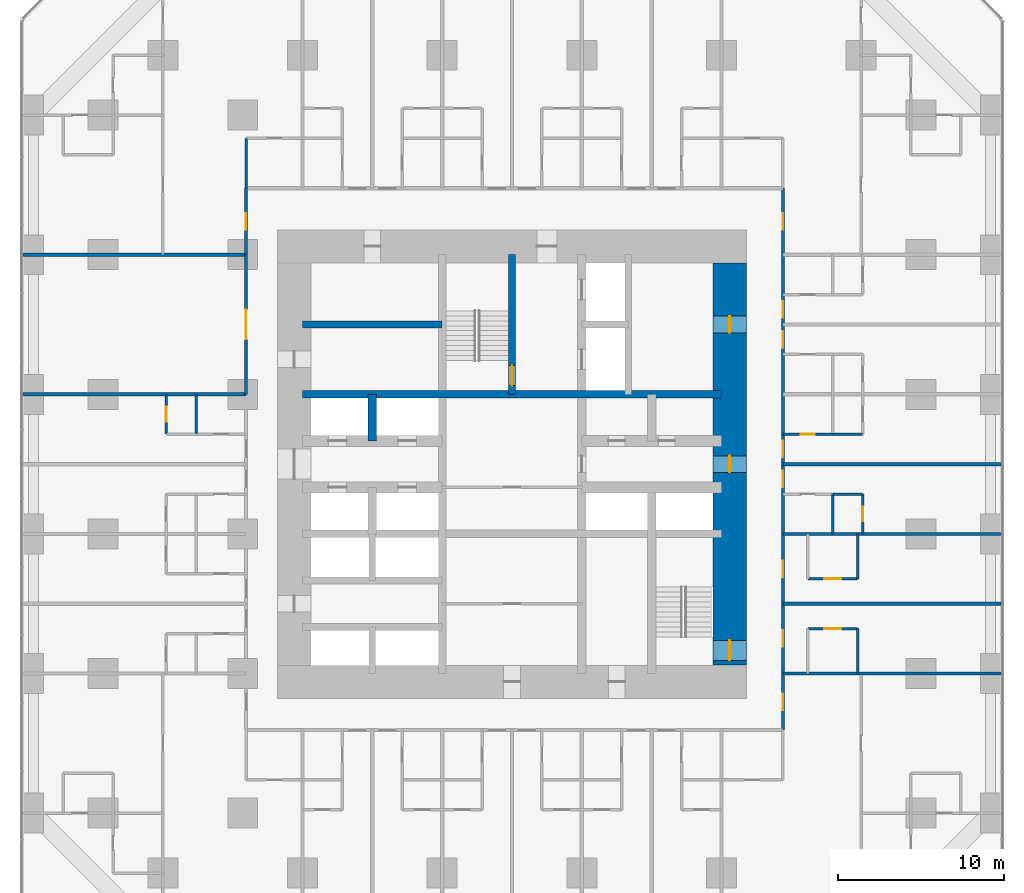
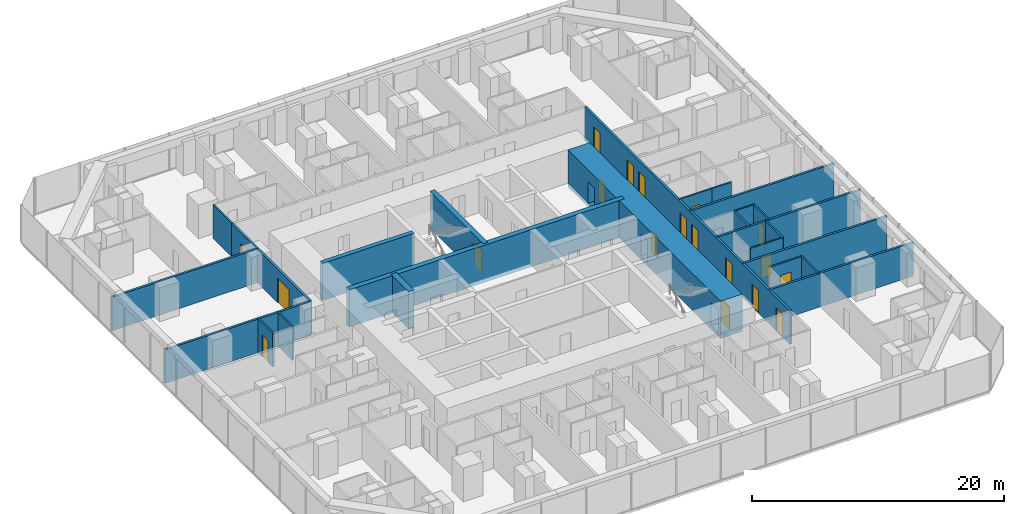
# One storey, part 14 of 18: 26 walls, 19 doors, 19 openings.
"""IFC4 building model written with IfcOpenShell, lengths in metres."""

from ifc_helpers import new_model, si_unit, direction, frame, frame_2d, origin, place, context, subcontext, project, spatial, rectangle, extrude, material, layer, layer_set, type_object, element, fill, save


model = new_model("IFC4")

# Units and contexts
model_context = context("Model", 3, precision=1e-05, world=origin(), true_north=direction((0.0, 1.0)))
body_context = subcontext(model_context, "Body", "Model", "MODEL_VIEW")
ifc_project = project(units=[si_unit("LENGTHUNIT", "METRE"), si_unit("AREAUNIT", "SQUARE_METRE"), si_unit("VOLUMEUNIT", "CUBIC_METRE"), si_unit("PLANEANGLEUNIT", "RADIAN"), si_unit("MASSUNIT", "GRAM", prefix="KILO")], contexts=[model_context])

# Site, building, storey
site_placement = place(None, origin())
site = spatial("IfcSite", under=ifc_project, at=site_placement, CompositionType="ELEMENT")
building_placement = place(site_placement, origin())
building = spatial("IfcBuilding", under=site, at=building_placement, Name="Dunama Terrace Hotel", CompositionType="ELEMENT")
storey_placement = place(building_placement, frame((0.0, 0.0, 27.0)))
storey = spatial("IfcBuildingStorey", under=building, at=storey_placement, Name="L05", CompositionType="ELEMENT", Elevation=27.0)

# Walls
ifc_material_1 = material(Name="Gypsum board partition", Category="masonry")
ifc_layer_1 = layer(ifc_material_1, 0.14990234375)
ifc_layer_set_1 = layer_set([ifc_layer_1], Name="Bathroom partition 150")
wall_type_1 = type_object("IfcWallType", Name="Bathroom partition 150", PredefinedType="PARTITIONING", material=ifc_layer_set_1)
wall_1_placement = place(storey_placement, frame((13.39990234375, 46.0, 0.0), z_axis=(0.0, 0.0, 1.0), x_axis=(0.0, 1.0, 0.0)))
element("IfcWall", 1, at=wall_1_placement, inside=storey, type_object=wall_type_1, Name="Bathroom partition 150 L05", PredefinedType="PARTITIONING", context=body_context, shape_type="SweptSolid", body=[
    extrude(rectangle(XDim=3.0, YDim=0.14990234375, at=frame_2d((1.5, 0.0))), origin(), (0.0, 0.0, 1.0), 3.25),
])
for number, where, z_axis, x_axis, name in (
    (2, (50.199951171875, 16.800048828125, 0.0), (0.0, 0.0, 1.0), (0.0, 1.0, 0.0), "Bathroom partition 150 L05"),
    (3, (50.199951171875, 22.5, 0.0), (0.0, 0.0, 1.0), (0.0, 1.0, 0.0), "Bathroom partition 150 L05"),
):
    element("IfcWall", number, at=place(storey_placement, frame(where, z_axis=z_axis, x_axis=x_axis)), inside=storey, type_object=wall_type_1, Name=name, PredefinedType="PARTITIONING", context=body_context, shape_type="SweptSolid", body=[
        extrude(rectangle(XDim=2.699951171875, YDim=0.14990234375, at=frame_2d((1.35009765625, 0.0))), origin(), (0.0, 0.0, 1.0), 3.25),
    ])

# Wall, opening, door
wall_2_placement = place(storey_placement, frame((47.199951171875, 19.5, 0.0), z_axis=(0.0, 0.0, 1.0), x_axis=(1.0, 0.0, 0.0)))
wall_2 = element("IfcWall", 4, at=wall_2_placement, inside=storey, type_object=wall_type_1, Name="Bathroom partition 150 L05", PredefinedType="PARTITIONING", context=body_context, shape_type="SweptSolid", body=[
    extrude(rectangle(XDim=3.0, YDim=0.14990234375, at=frame_2d((1.5, 0.0))), origin(), (0.0, 0.0, 1.0), 3.25),
])
opening_1_placement = place(wall_2_placement, frame((1.0, 0.0, 0.0)))
opening_1 = element("IfcOpeningElement", 5, at=opening_1_placement, cuts=wall_2, Name="Opening L05-028", PredefinedType="OPENING", context=body_context, shape_type="SweptSolid", body=[
    extrude(rectangle(XDim=1.0, YDim=2.10009765625, at=frame_2d((0.5, 1.050048828125))), frame((0.0, 0.0849609375, 0.0), z_axis=(0.0, -1.0, 0.0), x_axis=(1.0, 0.0, 0.0)), (0.0, 0.0, 1.0), 0.169921875),
])
ifc_material_2 = material(Name="Timber door with steel frame", Category="steel")
door_type_1 = type_object("IfcDoorType", Name="Accessible room door 1000", OperationType="SINGLE_SWING_LEFT", PredefinedType="DOOR", material=ifc_material_2)
door_1_placement = place(opening_1_placement, frame((1.0, 0.0, 0.0), z_axis=(0.0, 0.0, 1.0), x_axis=(-1.0, 0.0, 0.0)))
door_1 = element("IfcDoor", 6, at=door_1_placement, inside=storey, type_object=door_type_1, Name="Door to accessible en-suite bathroom L05-028, type D17", OperationType="SINGLE_SWING_RIGHT", OverallHeight=2.10009765625, OverallWidth=1.0, PredefinedType="DOOR", context=body_context, shape_type="SweptSolid", body=[
    extrude(rectangle(XDim=1.0, YDim=2.10009765625, at=frame_2d((0.5, 1.050048828125))), frame((0.0, 0.025146484375, 0.0), z_axis=(0.0, -1.0, 0.0), x_axis=(1.0, 0.0, 0.0)), (0.0, 0.0, 1.0), 0.050048828125),
])
fill(opening_1, door_1)

wall_3_placement = place(storey_placement, frame((47.199951171875, 22.5, 0.0), z_axis=(0.0, 0.0, 1.0), x_axis=(1.0, 0.0, 0.0)))
wall_3 = element("IfcWall", 7, at=wall_3_placement, inside=storey, type_object=wall_type_1, Name="Bathroom partition 150 L05", PredefinedType="PARTITIONING", context=body_context, shape_type="SweptSolid", body=[
    extrude(rectangle(XDim=3.0, YDim=0.14990234375, at=frame_2d((1.5, 0.0))), origin(), (0.0, 0.0, 1.0), 3.25),
])
opening_2_placement = place(wall_3_placement, frame((1.0, 0.0, 0.0)))
opening_2 = element("IfcOpeningElement", 8, at=opening_2_placement, cuts=wall_3, Name="Opening L05-030", PredefinedType="OPENING", context=body_context, shape_type="SweptSolid", body=[
    extrude(rectangle(XDim=1.0, YDim=2.10009765625, at=frame_2d((0.5, 1.050048828125))), frame((0.0, 0.0849609375, 0.0), z_axis=(0.0, -1.0, 0.0), x_axis=(1.0, 0.0, 0.0)), (0.0, 0.0, 1.0), 0.169921875),
])
door_2_placement = place(opening_2_placement, origin())
door_2 = element("IfcDoor", 9, at=door_2_placement, inside=storey, type_object=door_type_1, Name="Door to accessible en-suite bathroom L05-030, type D17", OperationType="SINGLE_SWING_LEFT", OverallHeight=2.10009765625, OverallWidth=1.0, PredefinedType="DOOR", context=body_context, shape_type="SweptSolid", body=[
    extrude(rectangle(XDim=1.0, YDim=2.10009765625, at=frame_2d((0.5, 1.050048828125))), frame((0.0, 0.02490234375, 0.0), z_axis=(0.0, -1.0, 0.0), x_axis=(1.0, 0.0, 0.0)), (0.0, 0.0, 1.0), 0.050048828125),
])
fill(opening_2, door_2)

wall_4_placement = place(storey_placement, frame((45.699951171875, 31.199951171875, 0.0), z_axis=(0.0, 0.0, 1.0), x_axis=(1.0, 0.0, 0.0)))
wall_4 = element("IfcWall", 10, at=wall_4_placement, inside=storey, type_object=wall_type_1, Name="Bathroom partition 150 L05", PredefinedType="PARTITIONING", context=body_context, shape_type="SweptSolid", body=[
    extrude(rectangle(XDim=3.0, YDim=0.14990234375, at=frame_2d((1.5, 0.0))), origin(), (0.0, 0.0, 1.0), 3.25),
])
opening_3_placement = place(wall_4_placement, frame((1.074951171875, 0.0, 0.0)))
opening_3 = element("IfcOpeningElement", 11, at=opening_3_placement, cuts=wall_4, Name="Opening L05-035", PredefinedType="OPENING", context=body_context, shape_type="SweptSolid", body=[
    extrude(rectangle(XDim=0.85009765625, YDim=2.10009765625, at=frame_2d((0.425048828125, 1.050048828125))), frame((0.0, 0.0849609375, 0.0), z_axis=(0.0, -1.0, 0.0), x_axis=(1.0, 0.0, 0.0)), (0.0, 0.0, 1.0), 0.169921875),
])
ifc_material_3 = material(Name="Timber door with steel frame", Category="steel")
door_type_2 = type_object("IfcDoorType", Name="Bathroom door 850", OperationType="SINGLE_SWING_LEFT", PredefinedType="DOOR", material=ifc_material_3)
door_3_placement = place(opening_3_placement, origin())
door_3 = element("IfcDoor", 12, at=door_3_placement, inside=storey, type_object=door_type_2, Name="Door to en-suite bathroom L05-035, type D2", OperationType="SINGLE_SWING_LEFT", OverallHeight=2.10009765625, OverallWidth=0.85009765625, PredefinedType="DOOR", context=body_context, shape_type="SweptSolid", body=[
    extrude(rectangle(XDim=0.85009765625, YDim=2.10009765625, at=frame_2d((0.425048828125, 1.050048828125))), frame((0.0, 0.02490234375, 0.0), z_axis=(0.0, -1.0, 0.0), x_axis=(1.0, 0.0, 0.0)), (0.0, 0.0, 1.0), 0.050048828125),
])
fill(opening_3, door_3)

# Wall
ifc_material_4 = material(Name="Concrete C50/60", Category="concrete")
ifc_layer_2 = layer(ifc_material_4, 0.39990234375)
ifc_layer_set_2 = layer_set([ifc_layer_2], Name="Core inner wall 400")
wall_type_2 = type_object("IfcWallType", Name="Core inner wall 400", PredefinedType="SHEAR", material=ifc_layer_set_2)
wall_5_placement = place(storey_placement, frame((16.800048828125, 37.800048828125, -0.35009765625), z_axis=(0.0, 0.0, 1.0), x_axis=(1.0, 0.0, 0.0)))
element("IfcWall", 13, at=wall_5_placement, inside=storey, type_object=wall_type_2, Name="Core inner wall 400 L05", PredefinedType="SHEAR", context=body_context, shape_type="SweptSolid", body=[
    extrude(rectangle(XDim=8.39990234375, YDim=0.39990234375, at=frame_2d((4.199951171875, 0.0))), origin(), (0.0, 0.0, 1.0), 3.60009765625),
])

# Wall, opening, door
ifc_material_5 = material(Name="Concrete C50/60", Category="concrete")
ifc_layer_3 = layer(ifc_material_5, 0.449951171875)
ifc_layer_set_3 = layer_set([ifc_layer_3], Name="Core inner wall 450")
wall_type_3 = type_object("IfcWallType", Name="Core inner wall 450", PredefinedType="SHEAR", material=ifc_layer_set_3)
wall_6_placement = place(storey_placement, frame((29.39990234375, 33.60009765625, -0.35009765625), z_axis=(0.0, 0.0, 1.0), x_axis=(0.0, 1.0, 0.0)))
wall_6 = element("IfcWall", 14, at=wall_6_placement, inside=storey, type_object=wall_type_3, Name="Core inner wall 450 L05", PredefinedType="SHEAR", context=body_context, shape_type="SweptSolid", body=[
    extrude(rectangle(XDim=8.39990234375, YDim=0.449951171875, at=frame_2d((4.199951171875, 0.0))), origin(), (0.0, 0.0, 1.0), 3.60009765625),
])
opening_4_placement = place(wall_6_placement, frame((0.52490234375, 0.0, 0.35009765625)))
opening_4 = element("IfcOpeningElement", 15, at=opening_4_placement, cuts=wall_6, Name="Opening L05-001", PredefinedType="OPENING", context=body_context, shape_type="SweptSolid", body=[
    extrude(rectangle(XDim=1.199951171875, YDim=2.199951171875, at=frame_2d((0.60009765625, 1.10009765625))), frame((0.0, 0.23486328125, 0.0), z_axis=(0.0, -1.0, 0.0), x_axis=(1.0, 0.0, 0.0)), (0.0, 0.0, 1.0), 0.469970703125),
])
ifc_material_6 = material(Name="Timber door with steel frame", Category="steel")
door_type_3 = type_object("IfcDoorType", Name="Stair door 1200", OperationType="SINGLE_SWING_LEFT", PredefinedType="DOOR", material=ifc_material_6)
door_4_placement = place(opening_4_placement, origin())
door_4 = element("IfcDoor", 16, at=door_4_placement, inside=storey, type_object=door_type_3, Name="Stair door ST1 L05-001, type D5", OperationType="SINGLE_SWING_LEFT", OverallHeight=2.199951171875, OverallWidth=1.199951171875, PredefinedType="DOOR", context=body_context, shape_type="SweptSolid", body=[
    extrude(rectangle(XDim=1.199951171875, YDim=2.199951171875, at=frame_2d((0.60009765625, 1.10009765625))), frame((0.0, 0.02490234375, 0.0), z_axis=(0.0, -1.0, 0.0), x_axis=(1.0, 0.0, 0.0)), (0.0, 0.0, 1.0), 0.050048828125),
])
fill(opening_4, door_4)

# Walls
wall_7_placement = place(storey_placement, frame((16.800048828125, 33.60009765625, -0.35009765625), z_axis=(0.0, 0.0, 1.0), x_axis=(1.0, 0.0, 0.0)))
element("IfcWall", 17, at=wall_7_placement, inside=storey, type_object=wall_type_3, Name="Core inner wall 450 L05", PredefinedType="SHEAR", context=body_context, shape_type="SweptSolid", body=[
    extrude(rectangle(XDim=25.199951171875, YDim=0.449951171875, at=frame_2d((12.60009765625, 0.0))), origin(), (0.0, 0.0, 1.0), 3.60009765625),
])
ifc_material_7 = material(Name="Concrete C50/60", Category="concrete")
ifc_layer_4 = layer(ifc_material_7, 0.5)
ifc_layer_set_4 = layer_set([ifc_layer_4], Name="Core inner wall 500")
wall_type_4 = type_object("IfcWallType", Name="Core inner wall 500", PredefinedType="SHEAR", material=ifc_layer_set_4)
wall_8_placement = place(storey_placement, frame((21.0, 30.800048828125, -0.35009765625), z_axis=(0.0, 0.0, 1.0), x_axis=(0.0, 1.0, 0.0)))
element("IfcWall", 18, at=wall_8_placement, inside=storey, type_object=wall_type_4, Name="Core inner wall 500 L05", PredefinedType="SHEAR", context=body_context, shape_type="SweptSolid", body=[
    extrude(rectangle(XDim=2.800048828125, YDim=0.5, at=frame_2d((1.39990234375, 0.0))), origin(), (0.0, 0.0, 1.0), 3.60009765625),
])

# Wall, openings, doors
ifc_material_8 = material(Name="Concrete C60/75", Category="concrete")
ifc_layer_5 = layer(ifc_material_8, 2.0)
ifc_layer_set_5 = layer_set([ifc_layer_5], Name="Core wall 2000")
wall_type_5 = type_object("IfcWallType", Name="Core wall 2000", PredefinedType="SHEAR", material=ifc_layer_set_5)
wall_9_placement = place(storey_placement, frame((42.5, 17.300048828125, -0.35009765625), z_axis=(0.0, 0.0, 1.0), x_axis=(0.0, 1.0, 0.0)))
wall_9 = element("IfcWall", 19, at=wall_9_placement, inside=storey, type_object=wall_type_5, Name="Core wall east L05", PredefinedType="SHEAR", context=body_context, shape_type="SweptSolid", body=[
    extrude(rectangle(XDim=24.199951171875, YDim=2.0, at=frame_2d((12.10009765625, 0.0))), origin(), (0.0, 0.0, 1.0), 3.60009765625),
])
opening_5_placement = place(wall_9_placement, frame((0.300048828125, 0.0, 0.35009765625)))
opening_5 = element("IfcOpeningElement", 20, at=opening_5_placement, cuts=wall_9, Name="Opening L05-002", PredefinedType="OPENING", context=body_context, shape_type="SweptSolid", body=[
    extrude(rectangle(XDim=1.199951171875, YDim=2.199951171875, at=frame_2d((0.60009765625, 1.10009765625))), frame((0.0, 1.010009765625, 0.0), z_axis=(0.0, -1.0, 0.0), x_axis=(1.0, 0.0, 0.0)), (0.0, 0.0, 1.0), 2.02001953125),
])
opening_6_placement = place(wall_9_placement, frame((11.60009765625, 0.0, 0.35009765625)))
opening_6 = element("IfcOpeningElement", 21, at=opening_6_placement, cuts=wall_9, Name="Opening L05-106", PredefinedType="OPENING", context=body_context, shape_type="SweptSolid", body=[
    extrude(rectangle(XDim=1.0, YDim=2.10009765625, at=frame_2d((0.5, 1.050048828125))), frame((0.0, 1.010009765625, 0.0), z_axis=(0.0, -1.0, 0.0), x_axis=(1.0, 0.0, 0.0)), (0.0, 0.0, 1.0), 2.02001953125),
])
opening_7_placement = place(wall_9_placement, frame((20.0, 0.0, 0.35009765625)))
opening_7 = element("IfcOpeningElement", 22, at=opening_7_placement, cuts=wall_9, Name="Opening L05-108", PredefinedType="OPENING", context=body_context, shape_type="SweptSolid", body=[
    extrude(rectangle(XDim=1.0, YDim=2.10009765625, at=frame_2d((0.5, 1.050048828125))), frame((0.0, 1.010009765625, 0.0), z_axis=(0.0, -1.0, 0.0), x_axis=(1.0, 0.0, 0.0)), (0.0, 0.0, 1.0), 2.02001953125),
])
ifc_material_9 = material(Name="Timber door with steel frame", Category="steel")
door_type_4 = type_object("IfcDoorType", Name="Service door 1000", OperationType="SINGLE_SWING_LEFT", PredefinedType="DOOR", material=ifc_material_9)
door_5_placement = place(opening_6_placement, origin())
door_5 = element("IfcDoor", 23, at=door_5_placement, inside=storey, type_object=door_type_4, Name="Door to service lobby L05-106, type D7", OperationType="SINGLE_SWING_LEFT", OverallHeight=2.10009765625, OverallWidth=1.0, PredefinedType="DOOR", context=body_context, shape_type="SweptSolid", body=[
    extrude(rectangle(XDim=1.0, YDim=2.10009765625, at=frame_2d((0.5, 1.050048828125))), frame((0.0, 0.02490234375, 0.0), z_axis=(0.0, -1.0, 0.0), x_axis=(1.0, 0.0, 0.0)), (0.0, 0.0, 1.0), 0.050048828125),
])
fill(opening_6, door_5)
door_6_placement = place(opening_7_placement, origin())
door_6 = element("IfcDoor", 24, at=door_6_placement, inside=storey, type_object=door_type_4, Name="Door to ice and vending room L05-108, type D7", OperationType="SINGLE_SWING_LEFT", OverallHeight=2.10009765625, OverallWidth=1.0, PredefinedType="DOOR", context=body_context, shape_type="SweptSolid", body=[
    extrude(rectangle(XDim=1.0, YDim=2.10009765625, at=frame_2d((0.5, 1.050048828125))), frame((0.0, 0.02490234375, 0.0), z_axis=(0.0, -1.0, 0.0), x_axis=(1.0, 0.0, 0.0)), (0.0, 0.0, 1.0), 0.050048828125),
])
fill(opening_7, door_6)
door_7_placement = place(opening_5_placement, origin())
door_7 = element("IfcDoor", 25, at=door_7_placement, inside=storey, type_object=door_type_3, Name="Stair door ST2 L05-002, type D5", OperationType="SINGLE_SWING_LEFT", OverallHeight=2.199951171875, OverallWidth=1.199951171875, PredefinedType="DOOR", context=body_context, shape_type="SweptSolid", body=[
    extrude(rectangle(XDim=1.199951171875, YDim=2.199951171875, at=frame_2d((0.60009765625, 1.10009765625))), frame((0.0, 0.02490234375, 0.0), z_axis=(0.0, -1.0, 0.0), x_axis=(1.0, 0.0, 0.0)), (0.0, 0.0, 1.0), 0.050048828125),
])
fill(opening_5, door_7)

# Wall, opening, door
ifc_material_10 = material(Name="Concrete blockwork", Category="masonry")
ifc_layer_6 = layer(ifc_material_10, 0.199951171875)
ifc_layer_set_6 = layer_set([ifc_layer_6], Name="Corridor partition 200")
wall_type_6 = type_object("IfcWallType", Name="Corridor partition 200", PredefinedType="PARTITIONING", material=ifc_layer_set_6)
wall_10_placement = place(storey_placement, frame((13.39990234375, 42.0, 0.0), z_axis=(0.0, 0.0, 1.0), x_axis=(0.0, 1.0, 0.0)))
wall_10 = element("IfcWall", 26, at=wall_10_placement, inside=storey, type_object=wall_type_6, Name="Corridor partition 200 L05", PredefinedType="PARTITIONING", context=body_context, shape_type="SweptSolid", body=[
    extrude(rectangle(XDim=4.0, YDim=0.199951171875, at=frame_2d((2.0, 0.0))), origin(), (0.0, 0.0, 1.0), 3.25),
])
opening_8_placement = place(wall_10_placement, frame((1.5, 0.0, 0.0)))
opening_8 = element("IfcOpeningElement", 27, at=opening_8_placement, cuts=wall_10, Name="Opening L05-092", PredefinedType="OPENING", context=body_context, shape_type="SweptSolid", body=[
    extrude(rectangle(XDim=1.0, YDim=2.199951171875, at=frame_2d((0.5, 1.10009765625))), frame((0.0, 0.10986328125, 0.0), z_axis=(0.0, -1.0, 0.0), x_axis=(1.0, 0.0, 0.0)), (0.0, 0.0, 1.0), 0.219970703125),
])
ifc_material_11 = material(Name="Timber door with steel frame", Category="steel")
door_type_5 = type_object("IfcDoorType", Name="Guest room door 1000", OperationType="SINGLE_SWING_LEFT", PredefinedType="DOOR", material=ifc_material_11)
door_8_placement = place(opening_8_placement, origin())
door_8 = element("IfcDoor", 28, at=door_8_placement, inside=storey, type_object=door_type_5, Name="Door to corner suite living room L05-092, type D1", OperationType="SINGLE_SWING_LEFT", OverallHeight=2.199951171875, OverallWidth=1.0, PredefinedType="DOOR", context=body_context, shape_type="SweptSolid", body=[
    extrude(rectangle(XDim=1.0, YDim=2.199951171875, at=frame_2d((0.5, 1.10009765625))), frame((0.0, 0.02490234375, 0.0), z_axis=(0.0, -1.0, 0.0), x_axis=(1.0, 0.0, 0.0)), (0.0, 0.0, 1.0), 0.050048828125),
])
fill(opening_8, door_8)

wall_11_placement = place(storey_placement, frame((13.39990234375, 42.0, 0.0), z_axis=(0.0, 0.0, 1.0), x_axis=(0.0, -1.0, 0.0)))
wall_11 = element("IfcWall", 29, at=wall_11_placement, inside=storey, type_object=wall_type_6, Name="Corridor partition 200 L05", PredefinedType="PARTITIONING", context=body_context, shape_type="SweptSolid", body=[
    extrude(rectangle(XDim=8.39990234375, YDim=0.199951171875, at=frame_2d((4.199951171875, 0.0))), origin(), (0.0, 0.0, 1.0), 3.25),
])
opening_9_placement = place(wall_11_placement, frame((3.300048828125, 0.0, 0.0)))
opening_9 = element("IfcOpeningElement", 30, at=opening_9_placement, cuts=wall_11, Name="Opening L05-073", PredefinedType="OPENING", context=body_context, shape_type="SweptSolid", body=[
    extrude(rectangle(XDim=1.800048828125, YDim=2.39990234375, at=frame_2d((0.89990234375, 1.199951171875))), frame((0.0, 0.10986328125, 0.0), z_axis=(0.0, -1.0, 0.0), x_axis=(1.0, 0.0, 0.0)), (0.0, 0.0, 1.0), 0.219970703125),
])
ifc_material_12 = material(Name="Aluminium-framed glazed door", Category="aluminium")
door_type_6 = type_object("IfcDoorType", Name="Glazed double door 1800", OperationType="DOUBLE_DOOR_DOUBLE_SWING", PredefinedType="DOOR", material=ifc_material_12)
door_9_placement = place(opening_9_placement, origin())
door_9 = element("IfcDoor", 31, at=door_9_placement, inside=storey, type_object=door_type_6, Name="Door to guest lounge L05-073, type D8", OperationType="DOUBLE_DOOR_DOUBLE_SWING", OverallHeight=2.39990234375, OverallWidth=1.800048828125, PredefinedType="DOOR", context=body_context, shape_type="SweptSolid", body=[
    extrude(rectangle(XDim=1.800048828125, YDim=2.39990234375, at=frame_2d((0.89990234375, 1.199951171875))), frame((0.0, 0.02490234375, 0.0), z_axis=(0.0, -1.0, 0.0), x_axis=(1.0, 0.0, 0.0)), (0.0, 0.0, 1.0), 0.050048828125),
])
fill(opening_9, door_9)

# Wall, openings, doors
wall_12_placement = place(storey_placement, frame((45.699951171875, 46.0, 0.0), z_axis=(0.0, 0.0, 1.0), x_axis=(0.0, -1.0, 0.0)))
wall_12 = element("IfcWall", 32, at=wall_12_placement, inside=storey, type_object=wall_type_6, Name="Corridor partition 200 L05", PredefinedType="PARTITIONING", context=body_context, shape_type="SweptSolid", body=[
    extrude(rectangle(XDim=32.60009765625, YDim=0.199951171875, at=frame_2d((16.300048828125, 0.0))), origin(), (0.0, 0.0, 1.0), 3.25),
])
opening_10_placement = place(wall_12_placement, frame((26.60009765625, 0.0, 0.0)))
opening_10 = element("IfcOpeningElement", 33, at=opening_10_placement, cuts=wall_12, Name="Opening L05-027", PredefinedType="OPENING", context=body_context, shape_type="SweptSolid", body=[
    extrude(rectangle(XDim=1.0, YDim=2.199951171875, at=frame_2d((0.5, 1.10009765625))), frame((0.0, 0.10986328125, 0.0), z_axis=(0.0, -1.0, 0.0), x_axis=(1.0, 0.0, 0.0)), (0.0, 0.0, 1.0), 0.219970703125),
])
opening_11_placement = place(wall_12_placement, frame((22.39990234375, 0.0, 0.0)))
opening_11 = element("IfcOpeningElement", 34, at=opening_11_placement, cuts=wall_12, Name="Opening L05-029", PredefinedType="OPENING", context=body_context, shape_type="SweptSolid", body=[
    extrude(rectangle(XDim=1.0, YDim=2.199951171875, at=frame_2d((0.5, 1.10009765625))), frame((0.0, 0.10986328125, 0.0), z_axis=(0.0, -1.0, 0.0), x_axis=(1.0, 0.0, 0.0)), (0.0, 0.0, 1.0), 0.219970703125),
])
opening_12_placement = place(wall_12_placement, frame((17.0, 0.0, 0.0)))
opening_12 = element("IfcOpeningElement", 35, at=opening_12_placement, cuts=wall_12, Name="Opening L05-031", PredefinedType="OPENING", context=body_context, shape_type="SweptSolid", body=[
    extrude(rectangle(XDim=1.0, YDim=2.199951171875, at=frame_2d((0.5, 1.10009765625))), frame((0.0, 0.10986328125, 0.0), z_axis=(0.0, -1.0, 0.0), x_axis=(1.0, 0.0, 0.0)), (0.0, 0.0, 1.0), 0.219970703125),
])
opening_13_placement = place(wall_12_placement, frame((15.199951171875, 0.0, 0.0)))
opening_13 = element("IfcOpeningElement", 36, at=opening_13_placement, cuts=wall_12, Name="Opening L05-034", PredefinedType="OPENING", context=body_context, shape_type="SweptSolid", body=[
    extrude(rectangle(XDim=1.0, YDim=2.199951171875, at=frame_2d((0.5, 1.10009765625))), frame((0.0, 0.10986328125, 0.0), z_axis=(0.0, -1.0, 0.0), x_axis=(1.0, 0.0, 0.0)), (0.0, 0.0, 1.0), 0.219970703125),
])
opening_14_placement = place(wall_12_placement, frame((8.60009765625, 0.0, 0.0)))
opening_14 = element("IfcOpeningElement", 37, at=opening_14_placement, cuts=wall_12, Name="Opening L05-037", PredefinedType="OPENING", context=body_context, shape_type="SweptSolid", body=[
    extrude(rectangle(XDim=1.0, YDim=2.199951171875, at=frame_2d((0.5, 1.10009765625))), frame((0.0, 0.10986328125, 0.0), z_axis=(0.0, -1.0, 0.0), x_axis=(1.0, 0.0, 0.0)), (0.0, 0.0, 1.0), 0.219970703125),
])
opening_15_placement = place(wall_12_placement, frame((6.800048828125, 0.0, 0.0)))
opening_15 = element("IfcOpeningElement", 38, at=opening_15_placement, cuts=wall_12, Name="Opening L05-040", PredefinedType="OPENING", context=body_context, shape_type="SweptSolid", body=[
    extrude(rectangle(XDim=1.0, YDim=2.199951171875, at=frame_2d((0.5, 1.10009765625))), frame((0.0, 0.10986328125, 0.0), z_axis=(0.0, -1.0, 0.0), x_axis=(1.0, 0.0, 0.0)), (0.0, 0.0, 1.0), 0.219970703125),
])
opening_16_placement = place(wall_12_placement, frame((30.39990234375, 0.0, 0.0)))
opening_16 = element("IfcOpeningElement", 39, at=opening_16_placement, cuts=wall_12, Name="Opening L05-080", PredefinedType="OPENING", context=body_context, shape_type="SweptSolid", body=[
    extrude(rectangle(XDim=1.0, YDim=2.199951171875, at=frame_2d((0.5, 1.10009765625))), frame((0.0, 0.10986328125, 0.0), z_axis=(0.0, -1.0, 0.0), x_axis=(1.0, 0.0, 0.0)), (0.0, 0.0, 1.0), 0.219970703125),
])
opening_17_placement = place(wall_12_placement, frame((1.5, 0.0, 0.0)))
opening_17 = element("IfcOpeningElement", 40, at=opening_17_placement, cuts=wall_12, Name="Opening L05-086", PredefinedType="OPENING", context=body_context, shape_type="SweptSolid", body=[
    extrude(rectangle(XDim=1.0, YDim=2.199951171875, at=frame_2d((0.5, 1.10009765625))), frame((0.0, 0.10986328125, 0.0), z_axis=(0.0, -1.0, 0.0), x_axis=(1.0, 0.0, 0.0)), (0.0, 0.0, 1.0), 0.219970703125),
])
door_10_placement = place(opening_10_placement, origin())
door_10 = element("IfcDoor", 41, at=door_10_placement, inside=storey, type_object=door_type_5, Name="Door to accessible deluxe room L05-027, type D1", OperationType="SINGLE_SWING_LEFT", OverallHeight=2.199951171875, OverallWidth=1.0, PredefinedType="DOOR", context=body_context, shape_type="SweptSolid", body=[
    extrude(rectangle(XDim=1.0, YDim=2.199951171875, at=frame_2d((0.5, 1.10009765625))), frame((0.0, 0.02490234375, 0.0), z_axis=(0.0, -1.0, 0.0), x_axis=(1.0, 0.0, 0.0)), (0.0, 0.0, 1.0), 0.050048828125),
])
fill(opening_10, door_10)
door_11_placement = place(opening_11_placement, origin())
door_11 = element("IfcDoor", 42, at=door_11_placement, inside=storey, type_object=door_type_5, Name="Door to accessible deluxe room L05-029, type D1", OperationType="SINGLE_SWING_LEFT", OverallHeight=2.199951171875, OverallWidth=1.0, PredefinedType="DOOR", context=body_context, shape_type="SweptSolid", body=[
    extrude(rectangle(XDim=1.0, YDim=2.199951171875, at=frame_2d((0.5, 1.10009765625))), frame((0.0, 0.02490234375, 0.0), z_axis=(0.0, -1.0, 0.0), x_axis=(1.0, 0.0, 0.0)), (0.0, 0.0, 1.0), 0.050048828125),
])
fill(opening_11, door_11)
door_12_placement = place(opening_12_placement, origin())
door_12 = element("IfcDoor", 43, at=door_12_placement, inside=storey, type_object=door_type_5, Name="Door to deluxe room L05-031, type D1", OperationType="SINGLE_SWING_LEFT", OverallHeight=2.199951171875, OverallWidth=1.0, PredefinedType="DOOR", context=body_context, shape_type="SweptSolid", body=[
    extrude(rectangle(XDim=1.0, YDim=2.199951171875, at=frame_2d((0.5, 1.10009765625))), frame((0.0, 0.02490234375, 0.0), z_axis=(0.0, -1.0, 0.0), x_axis=(1.0, 0.0, 0.0)), (0.0, 0.0, 1.0), 0.050048828125),
])
fill(opening_12, door_12)
door_13_placement = place(opening_13_placement, origin())
door_13 = element("IfcDoor", 44, at=door_13_placement, inside=storey, type_object=door_type_5, Name="Door to deluxe room L05-034, type D1", OperationType="SINGLE_SWING_RIGHT", OverallHeight=2.199951171875, OverallWidth=1.0, PredefinedType="DOOR", context=body_context, shape_type="SweptSolid", body=[
    extrude(rectangle(XDim=1.0, YDim=2.199951171875, at=frame_2d((0.5, 1.10009765625))), frame((0.0, 0.02490234375, 0.0), z_axis=(0.0, -1.0, 0.0), x_axis=(1.0, 0.0, 0.0)), (0.0, 0.0, 1.0), 0.050048828125),
])
fill(opening_13, door_13)
door_14_placement = place(opening_14_placement, origin())
door_14 = element("IfcDoor", 45, at=door_14_placement, inside=storey, type_object=door_type_5, Name="Door to deluxe room L05-037, type D1", OperationType="SINGLE_SWING_LEFT", OverallHeight=2.199951171875, OverallWidth=1.0, PredefinedType="DOOR", context=body_context, shape_type="SweptSolid", body=[
    extrude(rectangle(XDim=1.0, YDim=2.199951171875, at=frame_2d((0.5, 1.10009765625))), frame((0.0, 0.02490234375, 0.0), z_axis=(0.0, -1.0, 0.0), x_axis=(1.0, 0.0, 0.0)), (0.0, 0.0, 1.0), 0.050048828125),
])
fill(opening_14, door_14)
door_15_placement = place(opening_15_placement, origin())
door_15 = element("IfcDoor", 46, at=door_15_placement, inside=storey, type_object=door_type_5, Name="Door to deluxe room L05-040, type D1", OperationType="SINGLE_SWING_RIGHT", OverallHeight=2.199951171875, OverallWidth=1.0, PredefinedType="DOOR", context=body_context, shape_type="SweptSolid", body=[
    extrude(rectangle(XDim=1.0, YDim=2.199951171875, at=frame_2d((0.5, 1.10009765625))), frame((0.0, 0.02490234375, 0.0), z_axis=(0.0, -1.0, 0.0), x_axis=(1.0, 0.0, 0.0)), (0.0, 0.0, 1.0), 0.050048828125),
])
fill(opening_15, door_15)
door_16_placement = place(opening_16_placement, origin())
door_16 = element("IfcDoor", 47, at=door_16_placement, inside=storey, type_object=door_type_5, Name="Door to corner suite living room L05-080, type D1", OperationType="SINGLE_SWING_LEFT", OverallHeight=2.199951171875, OverallWidth=1.0, PredefinedType="DOOR", context=body_context, shape_type="SweptSolid", body=[
    extrude(rectangle(XDim=1.0, YDim=2.199951171875, at=frame_2d((0.5, 1.10009765625))), frame((0.0, 0.02490234375, 0.0), z_axis=(0.0, -1.0, 0.0), x_axis=(1.0, 0.0, 0.0)), (0.0, 0.0, 1.0), 0.050048828125),
])
fill(opening_16, door_16)
door_17_placement = place(opening_17_placement, origin())
door_17 = element("IfcDoor", 48, at=door_17_placement, inside=storey, type_object=door_type_5, Name="Door to corner suite living room L05-086, type D1", OperationType="SINGLE_SWING_LEFT", OverallHeight=2.199951171875, OverallWidth=1.0, PredefinedType="DOOR", context=body_context, shape_type="SweptSolid", body=[
    extrude(rectangle(XDim=1.0, YDim=2.199951171875, at=frame_2d((0.5, 1.10009765625))), frame((0.0, 0.02490234375, 0.0), z_axis=(0.0, -1.0, 0.0), x_axis=(1.0, 0.0, 0.0)), (0.0, 0.0, 1.0), 0.050048828125),
])
fill(opening_17, door_17)

# Walls
ifc_material_13 = material(Name="Concrete blockwork", Category="masonry")
ifc_layer_7 = layer(ifc_material_13, 0.199951171875)
ifc_layer_set_7 = layer_set([ifc_layer_7], Name="Party wall 200")
wall_type_7 = type_object("IfcWallType", Name="Party wall 200", PredefinedType="PARTITIONING", material=ifc_layer_set_7)
for number, where, z_axis, x_axis, name in (
    (49, (45.699951171875, 16.800048828125, 0.0), (0.0, 0.0, 1.0), (1.0, 0.0, 0.0), "Party wall 200 L05"),
    (50, (45.699951171875, 21.0, 0.0), (0.0, 0.0, 1.0), (1.0, 0.0, 0.0), "Party wall 200 L05"),
    (51, (45.699951171875, 25.199951171875, 0.0), (0.0, 0.0, 1.0), (1.0, 0.0, 0.0), "Party wall 200 L05"),
    (52, (45.699951171875, 29.39990234375, 0.0), (0.0, 0.0, 1.0), (1.0, 0.0, 0.0), "Party wall 200 L05"),
):
    element("IfcWall", number, at=place(storey_placement, frame(where, z_axis=z_axis, x_axis=x_axis)), inside=storey, type_object=wall_type_7, Name=name, PredefinedType="PARTITIONING", context=body_context, shape_type="SweptSolid", body=[
        extrude(rectangle(XDim=13.108154296875, YDim=0.199951171875, at=frame_2d((6.55419921875, 0.0))), origin(), (0.0, 0.0, 1.0), 3.25),
    ])
for number, where, z_axis, x_axis, name in (
    (53, (-0.008056640625, 33.60009765625, 0.0), (0.0, 0.0, 1.0), (1.0, 0.0, 0.0), "Party wall 200 L05"),
    (54, (-0.008056640625, 42.0, 0.0), (0.0, 0.0, 1.0), (1.0, 0.0, 0.0), "Party wall 200 L05"),
):
    element("IfcWall", number, at=place(storey_placement, frame(where, z_axis=z_axis, x_axis=x_axis)), inside=storey, type_object=wall_type_7, Name=name, PredefinedType="PARTITIONING", context=body_context, shape_type="SweptSolid", body=[
        extrude(rectangle(XDim=13.407958984375, YDim=0.199951171875, at=frame_2d((6.7041015625, 0.0))), origin(), (0.0, 0.0, 1.0), 3.25),
    ])

# Wall, opening, door
ifc_material_14 = material(Name="Gypsum board partition", Category="masonry")
ifc_layer_8 = layer(ifc_material_14, 0.14990234375)
ifc_layer_set_8 = layer_set([ifc_layer_8], Name="Room partition 150")
wall_type_8 = type_object("IfcWallType", Name="Room partition 150", PredefinedType="PARTITIONING", material=ifc_layer_set_8)
wall_13_placement = place(storey_placement, frame((8.60009765625, 31.199951171875, 0.0), z_axis=(0.0, 0.0, 1.0), x_axis=(0.0, 1.0, 0.0)))
wall_13 = element("IfcWall", 55, at=wall_13_placement, inside=storey, type_object=wall_type_8, Name="Room partition 150 L05", PredefinedType="PARTITIONING", context=body_context, shape_type="SweptSolid", body=[
    extrude(rectangle(XDim=2.400146484375, YDim=0.14990234375, at=frame_2d((1.2001953125, 0.0))), origin(), (0.0, 0.0, 1.0), 3.25),
])
opening_18_placement = place(wall_13_placement, frame((0.75, 0.0, 0.0)))
opening_18 = element("IfcOpeningElement", 56, at=opening_18_placement, cuts=wall_13, Name="Opening L05-072", PredefinedType="OPENING", context=body_context, shape_type="SweptSolid", body=[
    extrude(rectangle(XDim=0.89990234375, YDim=2.10009765625, at=frame_2d((0.449951171875, 1.050048828125))), frame((0.0, 0.0849609375, 0.0), z_axis=(0.0, -1.0, 0.0), x_axis=(1.0, 0.0, 0.0)), (0.0, 0.0, 1.0), 0.169921875),
])
ifc_material_15 = material(Name="Timber door with steel frame", Category="steel")
door_type_7 = type_object("IfcDoorType", Name="Suite internal door 900", OperationType="SINGLE_SWING_LEFT", PredefinedType="DOOR", material=ifc_material_15)
door_18_placement = place(opening_18_placement, frame((0.89990234375, 0.0, 0.0), z_axis=(0.0, 0.0, 1.0), x_axis=(-1.0, 0.0, 0.0)))
door_18 = element("IfcDoor", 57, at=door_18_placement, inside=storey, type_object=door_type_7, Name="Door to walk-in wardrobe L05-072, type D16", OperationType="SINGLE_SWING_LEFT", OverallHeight=2.10009765625, OverallWidth=0.89990234375, PredefinedType="DOOR", context=body_context, shape_type="SweptSolid", body=[
    extrude(rectangle(XDim=0.89990234375, YDim=2.10009765625, at=frame_2d((0.449951171875, 1.050048828125))), frame((0.0, 0.025146484375, 0.0), z_axis=(0.0, -1.0, 0.0), x_axis=(1.0, 0.0, 0.0)), (0.0, 0.0, 1.0), 0.050048828125),
])
fill(opening_18, door_18)

# Walls
for number, where, z_axis, x_axis, name in (
    (58, (10.39990234375, 31.199951171875, 0.0), (0.0, 0.0, 1.0), (0.0, 1.0, 0.0), "Room partition 150 L05"),
    (59, (48.699951171875, 25.199951171875, 0.0), (0.0, 0.0, 1.0), (0.0, 1.0, 0.0), "Room partition 150 L05"),
):
    element("IfcWall", number, at=place(storey_placement, frame(where, z_axis=z_axis, x_axis=x_axis)), inside=storey, type_object=wall_type_8, Name=name, PredefinedType="PARTITIONING", context=body_context, shape_type="SweptSolid", body=[
        extrude(rectangle(XDim=2.400146484375, YDim=0.14990234375, at=frame_2d((1.2001953125, 0.0))), origin(), (0.0, 0.0, 1.0), 3.25),
    ])

# Wall, opening, door
wall_14_placement = place(storey_placement, frame((50.5, 25.199951171875, 0.0), z_axis=(0.0, 0.0, 1.0), x_axis=(0.0, 1.0, 0.0)))
wall_14 = element("IfcWall", 60, at=wall_14_placement, inside=storey, type_object=wall_type_8, Name="Room partition 150 L05", PredefinedType="PARTITIONING", context=body_context, shape_type="SweptSolid", body=[
    extrude(rectangle(XDim=2.400146484375, YDim=0.14990234375, at=frame_2d((1.2001953125, 0.0))), origin(), (0.0, 0.0, 1.0), 3.25),
])
opening_19_placement = place(wall_14_placement, frame((0.75, 0.0, 0.0)))
opening_19 = element("IfcOpeningElement", 61, at=opening_19_placement, cuts=wall_14, Name="Opening L05-033", PredefinedType="OPENING", context=body_context, shape_type="SweptSolid", body=[
    extrude(rectangle(XDim=0.89990234375, YDim=2.10009765625, at=frame_2d((0.449951171875, 1.050048828125))), frame((0.0, 0.0849609375, 0.0), z_axis=(0.0, -1.0, 0.0), x_axis=(1.0, 0.0, 0.0)), (0.0, 0.0, 1.0), 0.169921875),
])
door_19_placement = place(opening_19_placement, origin())
door_19 = element("IfcDoor", 62, at=door_19_placement, inside=storey, type_object=door_type_7, Name="Door to walk-in wardrobe L05-033, type D16", OperationType="SINGLE_SWING_LEFT", OverallHeight=2.10009765625, OverallWidth=0.89990234375, PredefinedType="DOOR", context=body_context, shape_type="SweptSolid", body=[
    extrude(rectangle(XDim=0.89990234375, YDim=2.10009765625, at=frame_2d((0.449951171875, 1.050048828125))), frame((0.0, 0.02490234375, 0.0), z_axis=(0.0, -1.0, 0.0), x_axis=(1.0, 0.0, 0.0)), (0.0, 0.0, 1.0), 0.050048828125),
])
fill(opening_19, door_19)

# Walls
for number, where, z_axis, x_axis, name in (
    (63, (48.699951171875, 27.60009765625, 0.0), (0.0, 0.0, 1.0), (1.0, 0.0, 0.0), "Room partition 150 L05"),
    (64, (48.699951171875, 31.199951171875, 0.0), (0.0, 0.0, 1.0), (1.0, 0.0, 0.0), "Room partition 150 L05"),
):
    element("IfcWall", number, at=place(storey_placement, frame(where, z_axis=z_axis, x_axis=x_axis)), inside=storey, type_object=wall_type_8, Name=name, PredefinedType="PARTITIONING", context=body_context, shape_type="SweptSolid", body=[
        extrude(rectangle(XDim=1.800048828125, YDim=0.14990234375, at=frame_2d((0.89990234375, 0.0))), origin(), (0.0, 0.0, 1.0), 3.25),
    ])

save(model, "model.ifc")
